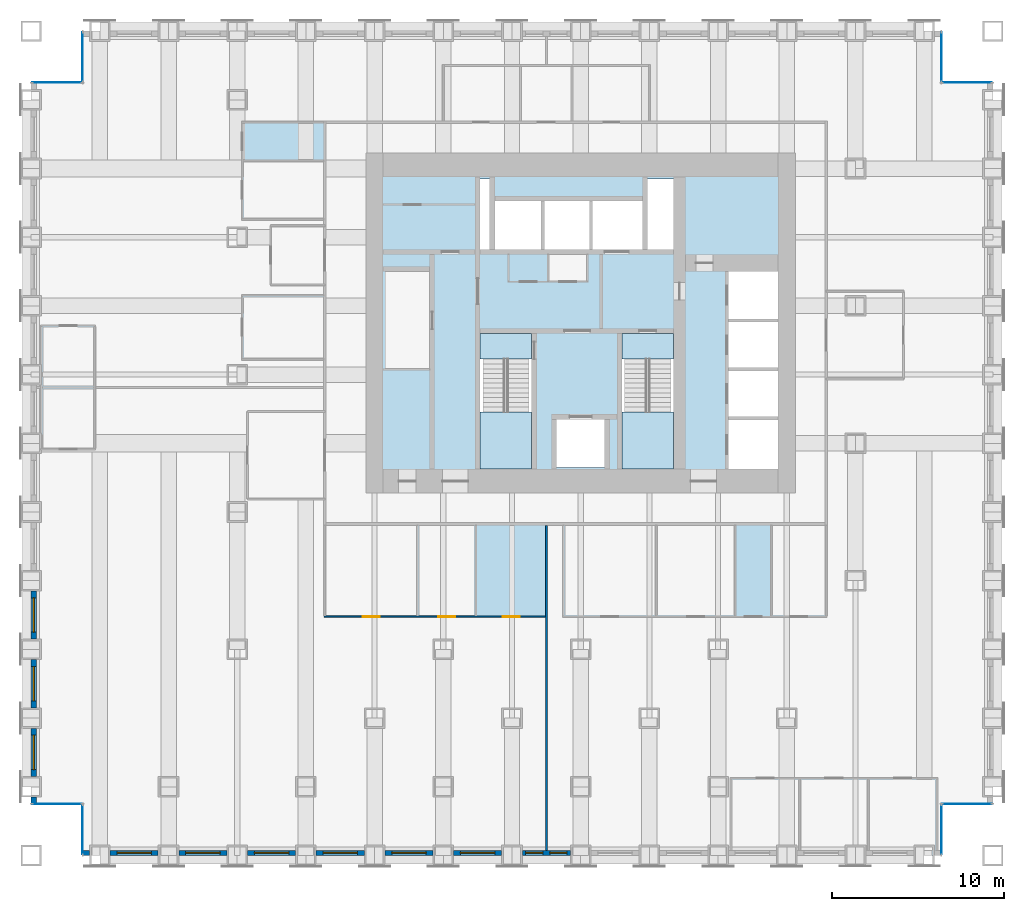
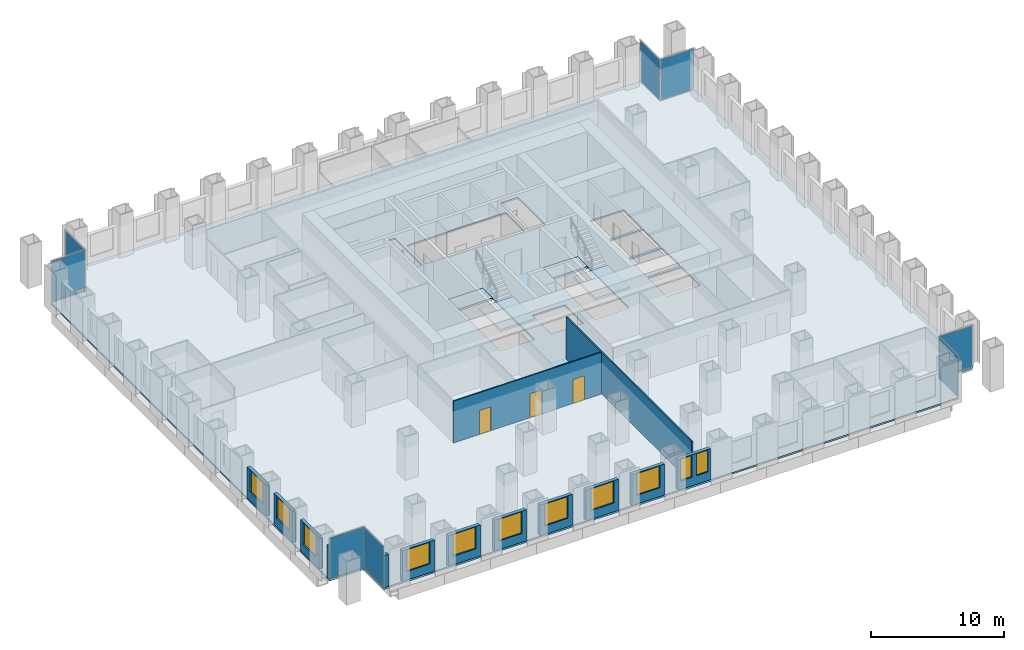
# One storey, part 8 of 15: 14 walls, 11 windows, 8 plates, 5 slabs, 3 doors, 14 openings, 10 elements without a shape of their own.
"""IFC4 building model written with IfcOpenShell, lengths in metres."""

from ifc_helpers import new_model, si_unit, direction, frame, frame_2d, origin, origin_2d, place, context, subcontext, project, spatial, polyline, rectangle, outline, extrude, material, layer, layer_set, type_object, element, fill, aggregate, save


model = new_model("IFC4")

# Units and contexts
model_context = context("Model", 3, precision=1e-05, world=origin(), true_north=direction((0.0, 1.0)))
body_context = subcontext(model_context, "Body", "Model", "MODEL_VIEW")
ifc_project = project(units=[si_unit("LENGTHUNIT", "METRE"), si_unit("AREAUNIT", "SQUARE_METRE"), si_unit("VOLUMEUNIT", "CUBIC_METRE"), si_unit("PLANEANGLEUNIT", "RADIAN"), si_unit("MASSUNIT", "GRAM", prefix="KILO")], contexts=[model_context])

# Site, building, storey
site_placement = place(None, origin())
site = spatial("IfcSite", under=ifc_project, at=site_placement, CompositionType="ELEMENT")
building_placement = place(site_placement, origin())
building = spatial("IfcBuilding", under=site, at=building_placement, Name="Rimbunsela Tower", CompositionType="ELEMENT")
storey_placement = place(building_placement, frame((0.0, 0.0, 35.0)))
storey = spatial("IfcBuildingStorey", under=building, at=storey_placement, Name="L08", CompositionType="ELEMENT", Elevation=35.0)

# Slab
ifc_material_1 = material(Name="Concrete fc' 35 MPa", Category="concrete")
ifc_layer_1 = layer(ifc_material_1, 0.14990234375)
ifc_layer_set_1 = layer_set([ifc_layer_1], Name="Floor slab 150")
slab_type_1 = type_object("IfcSlabType", Name="Floor slab 150", PredefinedType="FLOOR", material=ifc_layer_set_1)
slab_1_placement = place(storey_placement, frame((0.0, 0.0, -0.14990234375)))
element("IfcSlab", 1, at=slab_1_placement, inside=storey, type_object=slab_type_1, Name="Floor slab L08", PredefinedType="FLOOR", context=body_context, shape_type="SweptSolid", body=[
    extrude(outline(polyline([(1.0, -4.0), (51.0, -4.0), (51.0, -1.0), (54.0, -1.0), (54.0, 41.0), (51.0, 41.0), (51.0, 44.0), (1.0, 44.0), (1.0, 41.0), (-2.0, 41.0), (-2.0, -1.0), (1.0, -1.0), (1.0, -4.0)]), holes=[polyline([(27.14990234375, 18.60009765625), (27.14990234375, 26.39990234375), (24.14990234375, 26.39990234375), (24.14990234375, 18.60009765625), (27.14990234375, 18.60009765625)]), polyline([(24.699951171875, 31.300048828125), (24.699951171875, 35.39990234375), (24.14990234375, 35.39990234375), (24.14990234375, 31.300048828125), (24.699951171875, 31.300048828125)]), polyline([(25.0, 34.10009765625), (25.0, 31.300048828125), (33.60009765625, 31.300048828125), (33.60009765625, 34.10009765625), (25.0, 34.10009765625)]), polyline([(31.39990234375, 21.39990234375), (28.60009765625, 21.39990234375), (28.60009765625, 18.60009765625), (31.39990234375, 18.60009765625), (31.39990234375, 21.39990234375)]), polyline([(35.39990234375, 18.60009765625), (35.39990234375, 26.39990234375), (32.39990234375, 26.39990234375), (32.39990234375, 18.60009765625), (35.39990234375, 18.60009765625)]), polyline([(35.39990234375, 31.300048828125), (35.39990234375, 35.39990234375), (33.89990234375, 35.39990234375), (33.89990234375, 31.300048828125), (35.39990234375, 31.300048828125)]), polyline([(41.5, 21.35009765625), (38.60009765625, 21.35009765625), (38.60009765625, 18.5), (41.5, 18.5), (41.5, 21.35009765625)]), polyline([(41.5, 21.550048828125), (41.5, 24.199951171875), (38.60009765625, 24.199951171875), (38.60009765625, 21.550048828125), (41.5, 21.550048828125)]), polyline([(41.5, 27.050048828125), (38.60009765625, 27.050048828125), (38.60009765625, 24.39990234375), (41.5, 24.39990234375), (41.5, 27.050048828125)]), polyline([(41.5, 27.25), (41.5, 30.0), (38.60009765625, 30.0), (38.60009765625, 27.25), (41.5, 27.25)])]), origin(), (0.0, 0.0, 1.0), 0.14990234375),
])

# Curtain wall, plate
ifc_material_2 = material(Name="Aluminium curtain wall", Category="aluminium")
curtain_wall_type = type_object("IfcCurtainWallType", Name="Corner glazing", PredefinedType="USERDEFINED", material=ifc_material_2)
curtain_wall_1_placement = place(storey_placement, origin())
curtain_wall_1 = element("IfcCurtainWall", 2, at=curtain_wall_1_placement, inside=storey, type_object=curtain_wall_type, Name="Corner glazing L08", ObjectType="CORNER GLAZING", PredefinedType="USERDEFINED")
ifc_material_3 = material(Name="Clear double glazing", Category="glass")
ifc_layer_2 = layer(ifc_material_3, 0.028076171875)
ifc_layer_set_2 = layer_set([ifc_layer_2], Name="Glazed panel clear")
plate_type = type_object("IfcPlateType", Name="Glazed panel clear", PredefinedType="CURTAIN_PANEL", material=ifc_layer_set_2)
plate_1_placement = place(storey_placement, frame((51.0, -2.5, 0.06005859375), z_axis=(0.0, 0.0, 1.0), x_axis=(0.0, 1.0, 0.0)))
plate_1 = element("IfcPlate", 3, at=plate_1_placement, type_object=plate_type, Name="CW5 panel 1.1", PredefinedType="CURTAIN_PANEL", context=body_context, shape_type="SweptSolid", body=[
    extrude(rectangle(XDim=2.8798828125, YDim=0.028076171875, at=origin_2d()), origin(), (0.0, 0.0, 1.0), 3.72998046875),
])
aggregate(curtain_wall_1, [plate_1])

curtain_wall_2_placement = place(storey_placement, origin())
curtain_wall_2 = element("IfcCurtainWall", 4, at=curtain_wall_2_placement, inside=storey, type_object=curtain_wall_type, Name="Corner glazing L08", ObjectType="CORNER GLAZING", PredefinedType="USERDEFINED")
plate_2_placement = place(storey_placement, frame((52.5, -1.0, 0.06005859375), z_axis=(0.0, 0.0, 1.0), x_axis=(1.0, 0.0, 0.0)))
plate_2 = element("IfcPlate", 5, at=plate_2_placement, type_object=plate_type, Name="CW5 panel 1.1", PredefinedType="CURTAIN_PANEL", context=body_context, shape_type="SweptSolid", body=[
    extrude(rectangle(XDim=2.8798828125, YDim=0.028076171875, at=origin_2d()), origin(), (0.0, 0.0, 1.0), 3.72998046875),
])
aggregate(curtain_wall_2, [plate_2])

curtain_wall_3_placement = place(storey_placement, origin())
curtain_wall_3 = element("IfcCurtainWall", 6, at=curtain_wall_3_placement, inside=storey, type_object=curtain_wall_type, Name="Corner glazing L08", ObjectType="CORNER GLAZING", PredefinedType="USERDEFINED")
plate_3_placement = place(storey_placement, frame((52.5, 41.0, 0.06005859375), z_axis=(0.0, 0.0, 1.0), x_axis=(-1.0, 0.0, 0.0)))
plate_3 = element("IfcPlate", 7, at=plate_3_placement, type_object=plate_type, Name="CW5 panel 1.1", PredefinedType="CURTAIN_PANEL", context=body_context, shape_type="SweptSolid", body=[
    extrude(rectangle(XDim=2.8798828125, YDim=0.028076171875, at=origin_2d()), origin(), (0.0, 0.0, 1.0), 3.72998046875),
])
aggregate(curtain_wall_3, [plate_3])

curtain_wall_4_placement = place(storey_placement, origin())
curtain_wall_4 = element("IfcCurtainWall", 8, at=curtain_wall_4_placement, inside=storey, type_object=curtain_wall_type, Name="Corner glazing L08", ObjectType="CORNER GLAZING", PredefinedType="USERDEFINED")
plate_4_placement = place(storey_placement, frame((51.0, 42.5, 0.06005859375), z_axis=(0.0, 0.0, 1.0), x_axis=(0.0, 1.0, 0.0)))
plate_4 = element("IfcPlate", 9, at=plate_4_placement, type_object=plate_type, Name="CW5 panel 1.1", PredefinedType="CURTAIN_PANEL", context=body_context, shape_type="SweptSolid", body=[
    extrude(rectangle(XDim=2.8798828125, YDim=0.028076171875, at=origin_2d()), origin(), (0.0, 0.0, 1.0), 3.72998046875),
])
aggregate(curtain_wall_4, [plate_4])

curtain_wall_5_placement = place(storey_placement, origin())
curtain_wall_5 = element("IfcCurtainWall", 10, at=curtain_wall_5_placement, inside=storey, type_object=curtain_wall_type, Name="Corner glazing L08", ObjectType="CORNER GLAZING", PredefinedType="USERDEFINED")
plate_5_placement = place(storey_placement, frame((1.0, 42.5, 0.06005859375), z_axis=(0.0, 0.0, 1.0), x_axis=(0.0, -1.0, 0.0)))
plate_5 = element("IfcPlate", 11, at=plate_5_placement, type_object=plate_type, Name="CW5 panel 1.1", PredefinedType="CURTAIN_PANEL", context=body_context, shape_type="SweptSolid", body=[
    extrude(rectangle(XDim=2.8798828125, YDim=0.028076171875, at=origin_2d()), origin(), (0.0, 0.0, 1.0), 3.72998046875),
])
aggregate(curtain_wall_5, [plate_5])

curtain_wall_6_placement = place(storey_placement, origin())
curtain_wall_6 = element("IfcCurtainWall", 12, at=curtain_wall_6_placement, inside=storey, type_object=curtain_wall_type, Name="Corner glazing L08", ObjectType="CORNER GLAZING", PredefinedType="USERDEFINED")
plate_6_placement = place(storey_placement, frame((-0.5, 41.0, 0.06005859375), z_axis=(0.0, 0.0, 1.0), x_axis=(-1.0, 0.0, 0.0)))
plate_6 = element("IfcPlate", 13, at=plate_6_placement, type_object=plate_type, Name="CW5 panel 1.1", PredefinedType="CURTAIN_PANEL", context=body_context, shape_type="SweptSolid", body=[
    extrude(rectangle(XDim=2.8798828125, YDim=0.028076171875, at=origin_2d()), origin(), (0.0, 0.0, 1.0), 3.72998046875),
])
aggregate(curtain_wall_6, [plate_6])

curtain_wall_7_placement = place(storey_placement, origin())
curtain_wall_7 = element("IfcCurtainWall", 14, at=curtain_wall_7_placement, inside=storey, type_object=curtain_wall_type, Name="Corner glazing L08", ObjectType="CORNER GLAZING", PredefinedType="USERDEFINED")
plate_7_placement = place(storey_placement, frame((-0.5, -1.0, 0.06005859375), z_axis=(0.0, 0.0, 1.0), x_axis=(1.0, 0.0, 0.0)))
plate_7 = element("IfcPlate", 15, at=plate_7_placement, type_object=plate_type, Name="CW5 panel 1.1", PredefinedType="CURTAIN_PANEL", context=body_context, shape_type="SweptSolid", body=[
    extrude(rectangle(XDim=2.8798828125, YDim=0.028076171875, at=origin_2d()), origin(), (0.0, 0.0, 1.0), 3.72998046875),
])
aggregate(curtain_wall_7, [plate_7])

curtain_wall_8_placement = place(storey_placement, origin())
curtain_wall_8 = element("IfcCurtainWall", 16, at=curtain_wall_8_placement, inside=storey, type_object=curtain_wall_type, Name="Corner glazing L08", ObjectType="CORNER GLAZING", PredefinedType="USERDEFINED")
plate_8_placement = place(storey_placement, frame((1.0, -2.5, 0.06005859375), z_axis=(0.0, 0.0, 1.0), x_axis=(0.0, -1.0, 0.0)))
plate_8 = element("IfcPlate", 17, at=plate_8_placement, type_object=plate_type, Name="CW5 panel 1.1", PredefinedType="CURTAIN_PANEL", context=body_context, shape_type="SweptSolid", body=[
    extrude(rectangle(XDim=2.8798828125, YDim=0.028076171875, at=origin_2d()), origin(), (0.0, 0.0, 1.0), 3.72998046875),
])
aggregate(curtain_wall_8, [plate_8])

# Stair, slabs
ifc_material_4 = material(Name="Concrete fc' 35 MPa", Category="concrete")
stair_type = type_object("IfcStairType", Name="Exit stair 24 risers", PredefinedType="HALF_TURN_STAIR", material=ifc_material_4)
stair_1_placement = place(storey_placement, origin())
stair_1 = element("IfcStair", 18, at=stair_1_placement, inside=storey, type_object=stair_type, Name="Exit stair A L08", PredefinedType="HALF_TURN_STAIR")
ifc_material_5 = material(Name="Concrete fc' 35 MPa", Category="concrete")
ifc_layer_3 = layer(ifc_material_5, 0.199951171875)
ifc_layer_set_3 = layer_set([ifc_layer_3], Name="Stair landing 200")
slab_type_2 = type_object("IfcSlabType", Name="Stair landing 200", PredefinedType="LANDING", material=ifc_layer_set_3)
slab_2_placement = place(storey_placement, frame((0.0, 0.0, -0.199951171875)))
slab_2 = element("IfcSlab", 19, at=slab_2_placement, type_object=slab_type_2, Name="ST-A landing 1", PredefinedType="LANDING", context=body_context, shape_type="SweptSolid", body=[
    extrude(outline(polyline([(24.14990234375, 24.89990234375), (27.14990234375, 24.89990234375), (27.14990234375, 26.39990234375), (24.14990234375, 26.39990234375), (24.14990234375, 24.89990234375)])), origin(), (0.0, 0.0, 1.0), 0.199951171875),
])
slab_3_placement = place(storey_placement, frame((0.0, 0.0, 1.800048828125)))
slab_3 = element("IfcSlab", 20, at=slab_3_placement, type_object=slab_type_2, Name="ST-A landing 2", PredefinedType="LANDING", context=body_context, shape_type="SweptSolid", body=[
    extrude(outline(polyline([(24.14990234375, 18.5), (27.14990234375, 18.5), (27.14990234375, 21.820068359375), (24.14990234375, 21.820068359375), (24.14990234375, 18.5)])), origin(), (0.0, 0.0, 1.0), 0.199951171875),
])
aggregate(stair_1, [slab_2, slab_3])

stair_2_placement = place(storey_placement, origin())
stair_2 = element("IfcStair", 21, at=stair_2_placement, inside=storey, type_object=stair_type, Name="Exit stair B L08", PredefinedType="HALF_TURN_STAIR")
slab_4_placement = place(storey_placement, frame((0.0, 0.0, -0.199951171875)))
slab_4 = element("IfcSlab", 22, at=slab_4_placement, type_object=slab_type_2, Name="ST-B landing 1", PredefinedType="LANDING", context=body_context, shape_type="SweptSolid", body=[
    extrude(outline(polyline([(32.39990234375, 24.89990234375), (35.39990234375, 24.89990234375), (35.39990234375, 26.39990234375), (32.39990234375, 26.39990234375), (32.39990234375, 24.89990234375)])), origin(), (0.0, 0.0, 1.0), 0.199951171875),
])
slab_5_placement = place(storey_placement, frame((0.0, 0.0, 1.800048828125)))
slab_5 = element("IfcSlab", 23, at=slab_5_placement, type_object=slab_type_2, Name="ST-B landing 2", PredefinedType="LANDING", context=body_context, shape_type="SweptSolid", body=[
    extrude(outline(polyline([(32.39990234375, 18.5), (35.39990234375, 18.5), (35.39990234375, 21.820068359375), (32.39990234375, 21.820068359375), (32.39990234375, 18.5)])), origin(), (0.0, 0.0, 1.0), 0.199951171875),
])
aggregate(stair_2, [slab_4, slab_5])

# Wall, openings, doors
ifc_material_6 = material(Name="Gypsum board on steel studs", Category="steel")
ifc_layer_4 = layer(ifc_material_6, 0.10009765625)
ifc_layer_set_4 = layer_set([ifc_layer_4], Name="Office partition 100")
wall_type_1 = type_object("IfcWallType", Name="Office partition 100", PredefinedType="PARTITIONING", material=ifc_layer_set_4)
wall_1_placement = place(storey_placement, frame((15.050048828125, 9.89990234375, 0.0), z_axis=(0.0, 0.0, 1.0), x_axis=(1.0, 0.0, 0.0)))
wall_1 = element("IfcWall", 24, at=wall_1_placement, inside=storey, type_object=wall_type_1, Name="Office partition", PredefinedType="PARTITIONING", context=body_context, shape_type="SweptSolid", body=[
    extrude(rectangle(XDim=12.888916015625, YDim=0.10009765625, at=frame_2d((6.4443359375, 0.0))), origin(), (0.0, 0.0, 1.0), 3.85009765625),
])
opening_1_placement = place(wall_1_placement, frame((2.25, 0.0, 0.0)))
opening_1 = element("IfcOpeningElement", 25, at=opening_1_placement, cuts=wall_1, Name="Opening D17", PredefinedType="OPENING", context=body_context, shape_type="SweptSolid", body=[
    extrude(rectangle(XDim=1.0, YDim=2.199951171875, at=frame_2d((0.5, 1.10009765625))), frame((0.0, 0.06005859375, 0.0), z_axis=(0.0, -1.0, 0.0), x_axis=(1.0, 0.0, 0.0)), (0.0, 0.0, 1.0), 0.1201171875),
])
opening_2_placement = place(wall_1_placement, frame((6.64990234375, 0.0, 0.0)))
opening_2 = element("IfcOpeningElement", 26, at=opening_2_placement, cuts=wall_1, Name="Opening D16", PredefinedType="OPENING", context=body_context, shape_type="SweptSolid", body=[
    extrude(rectangle(XDim=1.0, YDim=2.199951171875, at=frame_2d((0.5, 1.10009765625))), frame((0.0, 0.06005859375, 0.0), z_axis=(0.0, -1.0, 0.0), x_axis=(1.0, 0.0, 0.0)), (0.0, 0.0, 1.0), 0.1201171875),
])
opening_3_placement = place(wall_1_placement, frame((10.3994140625, 0.0, 0.0)))
opening_3 = element("IfcOpeningElement", 27, at=opening_3_placement, cuts=wall_1, Name="Opening D16", PredefinedType="OPENING", context=body_context, shape_type="SweptSolid", body=[
    extrude(rectangle(XDim=1.0, YDim=2.199951171875, at=frame_2d((0.5, 1.10009765625))), frame((0.0, 0.06005859375, 0.0), z_axis=(0.0, -1.0, 0.0), x_axis=(1.0, 0.0, 0.0)), (0.0, 0.0, 1.0), 0.1201171875),
])
ifc_material_7 = material(Name="Glazed aluminium door", Category="aluminium")
door_type_1 = type_object("IfcDoorType", Name="Meeting room door 1000 glazed", OperationType="SINGLE_SWING_RIGHT", PredefinedType="DOOR", material=ifc_material_7)
door_1_placement = place(opening_1_placement, origin())
door_1 = element("IfcDoor", 28, at=door_1_placement, inside=storey, type_object=door_type_1, Name="Meeting room door", OperationType="SINGLE_SWING_RIGHT", OverallHeight=2.199951171875, OverallWidth=1.0, PredefinedType="DOOR", context=body_context, shape_type="SweptSolid", body=[
    extrude(rectangle(XDim=1.0, YDim=2.199951171875, at=frame_2d((0.5, 1.10009765625))), frame((0.0, 0.02490234375, 0.0), z_axis=(0.0, -1.0, 0.0), x_axis=(1.0, 0.0, 0.0)), (0.0, 0.0, 1.0), 0.050048828125),
])
fill(opening_1, door_1)
ifc_material_8 = material(Name="Timber door", Category="wood")
door_type_2 = type_object("IfcDoorType", Name="Office door 1000", OperationType="SINGLE_SWING_LEFT", PredefinedType="DOOR", material=ifc_material_8)
door_2_placement = place(opening_2_placement, origin())
door_2 = element("IfcDoor", 29, at=door_2_placement, inside=storey, type_object=door_type_2, Name="Office door", OperationType="SINGLE_SWING_LEFT", OverallHeight=2.199951171875, OverallWidth=1.0, PredefinedType="DOOR", context=body_context, shape_type="SweptSolid", body=[
    extrude(rectangle(XDim=1.0, YDim=2.199951171875, at=frame_2d((0.5, 1.10009765625))), frame((0.0, 0.02490234375, 0.0), z_axis=(0.0, -1.0, 0.0), x_axis=(1.0, 0.0, 0.0)), (0.0, 0.0, 1.0), 0.050048828125),
])
fill(opening_2, door_2)
door_3_placement = place(opening_3_placement, origin())
door_3 = element("IfcDoor", 30, at=door_3_placement, inside=storey, type_object=door_type_2, Name="Office door", OperationType="SINGLE_SWING_LEFT", OverallHeight=2.199951171875, OverallWidth=1.0, PredefinedType="DOOR", context=body_context, shape_type="SweptSolid", body=[
    extrude(rectangle(XDim=1.0, YDim=2.199951171875, at=frame_2d((0.5, 1.10009765625))), frame((0.0, 0.02490234375, 0.0), z_axis=(0.0, -1.0, 0.0), x_axis=(1.0, 0.0, 0.0)), (0.0, 0.0, 1.0), 0.050048828125),
])
fill(opening_3, door_3)

# Wall
ifc_material_9 = material(Name="Precast concrete fc' 35 MPa", Category="concrete")
ifc_layer_5 = layer(ifc_material_9, 0.300048828125)
ifc_layer_set_5 = layer_set([ifc_layer_5], Name="Precast concrete fc' 35 MPa")
wall_type_2 = type_object("IfcWallType", Name="Precast facade panel 300", PredefinedType="ELEMENTEDWALL", material=ifc_layer_set_5)
wall_2_placement = place(storey_placement, frame((1.030029296875, -3.85009765625, 0.0), z_axis=(0.0, 0.0, 1.0), x_axis=(1.0, 0.0, 0.0)))
element("IfcWall", 31, at=wall_2_placement, inside=storey, type_object=wall_type_2, Name="Facade panel S L08", PredefinedType="ELEMENTEDWALL", context=body_context, shape_type="SweptSolid", body=[
    extrude(rectangle(XDim=0.369873046875, YDim=0.300048828125, at=frame_2d((0.18505859375, 0.0))), origin(), (0.0, 0.0, 1.0), 2.949951171875),
])

# Wall, opening, window
wall_3_placement = place(storey_placement, frame((2.60009765625, -3.85009765625, 0.0), z_axis=(0.0, 0.0, 1.0), x_axis=(1.0, 0.0, 0.0)))
wall_3 = element("IfcWall", 32, at=wall_3_placement, inside=storey, type_object=wall_type_2, Name="Facade panel S L08", PredefinedType="ELEMENTEDWALL", context=body_context, shape_type="SweptSolid", body=[
    extrude(rectangle(XDim=2.7998046875, YDim=0.300048828125, at=frame_2d((1.39990234375, 0.0))), origin(), (0.0, 0.0, 1.0), 2.85009765625),
])
opening_4_placement = place(wall_3_placement, frame((0.39990234375, 0.0, 0.800048828125)))
opening_4 = element("IfcOpeningElement", 33, at=opening_4_placement, cuts=wall_3, Name="Opening W1", PredefinedType="OPENING", context=body_context, shape_type="SweptSolid", body=[
    extrude(rectangle(XDim=2.0, YDim=2.0, at=frame_2d((1.0, 1.0))), frame((0.0, 0.159912109375, 0.0), z_axis=(0.0, -1.0, 0.0), x_axis=(1.0, 0.0, 0.0)), (0.0, 0.0, 1.0), 0.320068359375),
])
ifc_material_10 = material(Name="Clear glass in aluminium frame", Category="aluminium")
window_type_1 = type_object("IfcWindowType", Name="Window W1 2000x2000", PartitioningType="DOUBLE_PANEL_VERTICAL", PredefinedType="WINDOW", material=ifc_material_10)
window_1_placement = place(opening_4_placement, origin())
window_1 = element("IfcWindow", 34, at=window_1_placement, inside=storey, type_object=window_type_1, Name="Window L08", OverallHeight=2.0, OverallWidth=2.0, PartitioningType="SINGLE_PANEL", PredefinedType="WINDOW", context=body_context, shape_type="SweptSolid", body=[
    extrude(rectangle(XDim=2.0, YDim=2.0, at=frame_2d((1.0, 1.0))), frame((0.0, 0.030029296875, 0.0), z_axis=(0.0, -1.0, 0.0), x_axis=(1.0, 0.0, 0.0)), (0.0, 0.0, 1.0), 0.06005859375),
])
fill(opening_4, window_1)

wall_4_placement = place(storey_placement, frame((6.60009765625, -3.85009765625, 0.0), z_axis=(0.0, 0.0, 1.0), x_axis=(1.0, 0.0, 0.0)))
wall_4 = element("IfcWall", 35, at=wall_4_placement, inside=storey, type_object=wall_type_2, Name="Facade panel S L08", PredefinedType="ELEMENTEDWALL", context=body_context, shape_type="SweptSolid", body=[
    extrude(rectangle(XDim=2.7998046875, YDim=0.300048828125, at=frame_2d((1.39990234375, 0.0))), origin(), (0.0, 0.0, 1.0), 2.85009765625),
])
opening_5_placement = place(wall_4_placement, frame((0.39990234375, 0.0, 0.800048828125)))
opening_5 = element("IfcOpeningElement", 36, at=opening_5_placement, cuts=wall_4, Name="Opening W1", PredefinedType="OPENING", context=body_context, shape_type="SweptSolid", body=[
    extrude(rectangle(XDim=2.0, YDim=2.0, at=frame_2d((1.0, 1.0))), frame((0.0, 0.159912109375, 0.0), z_axis=(0.0, -1.0, 0.0), x_axis=(1.0, 0.0, 0.0)), (0.0, 0.0, 1.0), 0.320068359375),
])
window_2_placement = place(opening_5_placement, origin())
window_2 = element("IfcWindow", 37, at=window_2_placement, inside=storey, type_object=window_type_1, Name="Window L08", OverallHeight=2.0, OverallWidth=2.0, PartitioningType="SINGLE_PANEL", PredefinedType="WINDOW", context=body_context, shape_type="SweptSolid", body=[
    extrude(rectangle(XDim=2.0, YDim=2.0, at=frame_2d((1.0, 1.0))), frame((0.0, 0.030029296875, 0.0), z_axis=(0.0, -1.0, 0.0), x_axis=(1.0, 0.0, 0.0)), (0.0, 0.0, 1.0), 0.06005859375),
])
fill(opening_5, window_2)

wall_5_placement = place(storey_placement, frame((10.60009765625, -3.85009765625, 0.0), z_axis=(0.0, 0.0, 1.0), x_axis=(1.0, 0.0, 0.0)))
wall_5 = element("IfcWall", 38, at=wall_5_placement, inside=storey, type_object=wall_type_2, Name="Facade panel S L08", PredefinedType="ELEMENTEDWALL", context=body_context, shape_type="SweptSolid", body=[
    extrude(rectangle(XDim=2.7998046875, YDim=0.300048828125, at=frame_2d((1.39990234375, 0.0))), origin(), (0.0, 0.0, 1.0), 2.85009765625),
])
opening_6_placement = place(wall_5_placement, frame((0.39990234375, 0.0, 0.800048828125)))
opening_6 = element("IfcOpeningElement", 39, at=opening_6_placement, cuts=wall_5, Name="Opening W1", PredefinedType="OPENING", context=body_context, shape_type="SweptSolid", body=[
    extrude(rectangle(XDim=2.0, YDim=2.0, at=frame_2d((1.0, 1.0))), frame((0.0, 0.159912109375, 0.0), z_axis=(0.0, -1.0, 0.0), x_axis=(1.0, 0.0, 0.0)), (0.0, 0.0, 1.0), 0.320068359375),
])
window_3_placement = place(opening_6_placement, origin())
window_3 = element("IfcWindow", 40, at=window_3_placement, inside=storey, type_object=window_type_1, Name="Window L08", OverallHeight=2.0, OverallWidth=2.0, PartitioningType="SINGLE_PANEL", PredefinedType="WINDOW", context=body_context, shape_type="SweptSolid", body=[
    extrude(rectangle(XDim=2.0, YDim=2.0, at=frame_2d((1.0, 1.0))), frame((0.0, 0.030029296875, 0.0), z_axis=(0.0, -1.0, 0.0), x_axis=(1.0, 0.0, 0.0)), (0.0, 0.0, 1.0), 0.06005859375),
])
fill(opening_6, window_3)

wall_6_placement = place(storey_placement, frame((14.60009765625, -3.85009765625, 0.0), z_axis=(0.0, 0.0, 1.0), x_axis=(1.0, 0.0, 0.0)))
wall_6 = element("IfcWall", 41, at=wall_6_placement, inside=storey, type_object=wall_type_2, Name="Facade panel S L08", PredefinedType="ELEMENTEDWALL", context=body_context, shape_type="SweptSolid", body=[
    extrude(rectangle(XDim=2.7998046875, YDim=0.300048828125, at=frame_2d((1.39990234375, 0.0))), origin(), (0.0, 0.0, 1.0), 2.85009765625),
])
opening_7_placement = place(wall_6_placement, frame((0.39990234375, 0.0, 0.800048828125)))
opening_7 = element("IfcOpeningElement", 42, at=opening_7_placement, cuts=wall_6, Name="Opening W1", PredefinedType="OPENING", context=body_context, shape_type="SweptSolid", body=[
    extrude(rectangle(XDim=2.0, YDim=2.0, at=frame_2d((1.0, 1.0))), frame((0.0, 0.159912109375, 0.0), z_axis=(0.0, -1.0, 0.0), x_axis=(1.0, 0.0, 0.0)), (0.0, 0.0, 1.0), 0.320068359375),
])
window_4_placement = place(opening_7_placement, origin())
window_4 = element("IfcWindow", 43, at=window_4_placement, inside=storey, type_object=window_type_1, Name="Window L08", OverallHeight=2.0, OverallWidth=2.0, PartitioningType="SINGLE_PANEL", PredefinedType="WINDOW", context=body_context, shape_type="SweptSolid", body=[
    extrude(rectangle(XDim=2.0, YDim=2.0, at=frame_2d((1.0, 1.0))), frame((0.0, 0.030029296875, 0.0), z_axis=(0.0, -1.0, 0.0), x_axis=(1.0, 0.0, 0.0)), (0.0, 0.0, 1.0), 0.06005859375),
])
fill(opening_7, window_4)

wall_7_placement = place(storey_placement, frame((18.60009765625, -3.85009765625, 0.0), z_axis=(0.0, 0.0, 1.0), x_axis=(1.0, 0.0, 0.0)))
wall_7 = element("IfcWall", 44, at=wall_7_placement, inside=storey, type_object=wall_type_2, Name="Facade panel S L08", PredefinedType="ELEMENTEDWALL", context=body_context, shape_type="SweptSolid", body=[
    extrude(rectangle(XDim=2.7998046875, YDim=0.300048828125, at=frame_2d((1.39990234375, 0.0))), origin(), (0.0, 0.0, 1.0), 2.85009765625),
])
opening_8_placement = place(wall_7_placement, frame((0.39990234375, 0.0, 0.800048828125)))
opening_8 = element("IfcOpeningElement", 45, at=opening_8_placement, cuts=wall_7, Name="Opening W1", PredefinedType="OPENING", context=body_context, shape_type="SweptSolid", body=[
    extrude(rectangle(XDim=2.0, YDim=2.0, at=frame_2d((1.0, 1.0))), frame((0.0, 0.159912109375, 0.0), z_axis=(0.0, -1.0, 0.0), x_axis=(1.0, 0.0, 0.0)), (0.0, 0.0, 1.0), 0.320068359375),
])
window_5_placement = place(opening_8_placement, origin())
window_5 = element("IfcWindow", 46, at=window_5_placement, inside=storey, type_object=window_type_1, Name="Window L08", OverallHeight=2.0, OverallWidth=2.0, PartitioningType="SINGLE_PANEL", PredefinedType="WINDOW", context=body_context, shape_type="SweptSolid", body=[
    extrude(rectangle(XDim=2.0, YDim=2.0, at=frame_2d((1.0, 1.0))), frame((0.0, 0.030029296875, 0.0), z_axis=(0.0, -1.0, 0.0), x_axis=(1.0, 0.0, 0.0)), (0.0, 0.0, 1.0), 0.06005859375),
])
fill(opening_8, window_5)

wall_8_placement = place(storey_placement, frame((22.60009765625, -3.85009765625, 0.0), z_axis=(0.0, 0.0, 1.0), x_axis=(1.0, 0.0, 0.0)))
wall_8 = element("IfcWall", 47, at=wall_8_placement, inside=storey, type_object=wall_type_2, Name="Facade panel S L08", PredefinedType="ELEMENTEDWALL", context=body_context, shape_type="SweptSolid", body=[
    extrude(rectangle(XDim=2.7998046875, YDim=0.300048828125, at=frame_2d((1.39990234375, 0.0))), origin(), (0.0, 0.0, 1.0), 2.85009765625),
])
opening_9_placement = place(wall_8_placement, frame((0.39990234375, 0.0, 0.800048828125)))
opening_9 = element("IfcOpeningElement", 48, at=opening_9_placement, cuts=wall_8, Name="Opening W1", PredefinedType="OPENING", context=body_context, shape_type="SweptSolid", body=[
    extrude(rectangle(XDim=2.0, YDim=2.0, at=frame_2d((1.0, 1.0))), frame((0.0, 0.159912109375, 0.0), z_axis=(0.0, -1.0, 0.0), x_axis=(1.0, 0.0, 0.0)), (0.0, 0.0, 1.0), 0.320068359375),
])
window_6_placement = place(opening_9_placement, origin())
window_6 = element("IfcWindow", 49, at=window_6_placement, inside=storey, type_object=window_type_1, Name="Window L08", OverallHeight=2.0, OverallWidth=2.0, PartitioningType="SINGLE_PANEL", PredefinedType="WINDOW", context=body_context, shape_type="SweptSolid", body=[
    extrude(rectangle(XDim=2.0, YDim=2.0, at=frame_2d((1.0, 1.0))), frame((0.0, 0.030029296875, 0.0), z_axis=(0.0, -1.0, 0.0), x_axis=(1.0, 0.0, 0.0)), (0.0, 0.0, 1.0), 0.06005859375),
])
fill(opening_9, window_6)

# Wall, openings, windows
wall_9_placement = place(storey_placement, frame((26.60009765625, -3.85009765625, 0.0), z_axis=(0.0, 0.0, 1.0), x_axis=(1.0, 0.0, 0.0)))
wall_9 = element("IfcWall", 50, at=wall_9_placement, inside=storey, type_object=wall_type_2, Name="Facade panel S L08", PredefinedType="ELEMENTEDWALL", context=body_context, shape_type="SweptSolid", body=[
    extrude(rectangle(XDim=2.7998046875, YDim=0.300048828125, at=frame_2d((1.39990234375, 0.0))), origin(), (0.0, 0.0, 1.0), 2.85009765625),
])
opening_10_placement = place(wall_9_placement, frame((0.199951171875, 0.0, 0.800048828125)))
opening_10 = element("IfcOpeningElement", 51, at=opening_10_placement, cuts=wall_9, Name="Opening W5", PredefinedType="OPENING", context=body_context, shape_type="SweptSolid", body=[
    extrude(rectangle(XDim=1.0, YDim=2.0, at=frame_2d((0.5, 1.0))), frame((0.0, 0.159912109375, 0.0), z_axis=(0.0, -1.0, 0.0), x_axis=(1.0, 0.0, 0.0)), (0.0, 0.0, 1.0), 0.320068359375),
])
opening_11_placement = place(wall_9_placement, frame((1.60009765625, 0.0, 0.800048828125)))
opening_11 = element("IfcOpeningElement", 52, at=opening_11_placement, cuts=wall_9, Name="Opening W5", PredefinedType="OPENING", context=body_context, shape_type="SweptSolid", body=[
    extrude(rectangle(XDim=1.0, YDim=2.0, at=frame_2d((0.5, 1.0))), frame((0.0, 0.159912109375, 0.0), z_axis=(0.0, -1.0, 0.0), x_axis=(1.0, 0.0, 0.0)), (0.0, 0.0, 1.0), 0.320068359375),
])
ifc_material_11 = material(Name="Clear glass in aluminium frame", Category="aluminium")
window_type_2 = type_object("IfcWindowType", Name="Window W5 1000x2000", PartitioningType="SINGLE_PANEL", PredefinedType="WINDOW", material=ifc_material_11)
window_7_placement = place(opening_10_placement, origin())
window_7 = element("IfcWindow", 53, at=window_7_placement, inside=storey, type_object=window_type_2, Name="Window L08", OverallHeight=2.0, OverallWidth=1.0, PartitioningType="SINGLE_PANEL", PredefinedType="WINDOW", context=body_context, shape_type="SweptSolid", body=[
    extrude(rectangle(XDim=1.0, YDim=2.0, at=frame_2d((0.5, 1.0))), frame((0.0, 0.030029296875, 0.0), z_axis=(0.0, -1.0, 0.0), x_axis=(1.0, 0.0, 0.0)), (0.0, 0.0, 1.0), 0.06005859375),
])
fill(opening_10, window_7)
window_8_placement = place(opening_11_placement, origin())
window_8 = element("IfcWindow", 54, at=window_8_placement, inside=storey, type_object=window_type_2, Name="Window L08", OverallHeight=2.0, OverallWidth=1.0, PartitioningType="SINGLE_PANEL", PredefinedType="WINDOW", context=body_context, shape_type="SweptSolid", body=[
    extrude(rectangle(XDim=1.0, YDim=2.0, at=frame_2d((0.5, 1.0))), frame((0.0, 0.030029296875, 0.0), z_axis=(0.0, -1.0, 0.0), x_axis=(1.0, 0.0, 0.0)), (0.0, 0.0, 1.0), 0.06005859375),
])
fill(opening_11, window_8)

# Wall
wall_10_placement = place(storey_placement, frame((-1.85009765625, -0.60009765625, 0.0), z_axis=(0.0, 0.0, 1.0), x_axis=(0.0, -1.0, 0.0)))
element("IfcWall", 55, at=wall_10_placement, inside=storey, type_object=wall_type_2, Name="Facade panel W L08", PredefinedType="ELEMENTEDWALL", context=body_context, shape_type="SweptSolid", body=[
    extrude(rectangle(XDim=0.369873046875, YDim=0.300048828125, at=frame_2d((0.18505859375, 0.0))), origin(), (0.0, 0.0, 1.0), 2.949951171875),
])

# Wall, opening, window
wall_11_placement = place(storey_placement, frame((-1.85009765625, 3.39990234375, 0.0), z_axis=(0.0, 0.0, 1.0), x_axis=(0.0, -1.0, 0.0)))
wall_11 = element("IfcWall", 56, at=wall_11_placement, inside=storey, type_object=wall_type_2, Name="Facade panel W L08", PredefinedType="ELEMENTEDWALL", context=body_context, shape_type="SweptSolid", body=[
    extrude(rectangle(XDim=2.7998046875, YDim=0.300048828125, at=frame_2d((1.39990234375, 0.0))), origin(), (0.0, 0.0, 1.0), 2.85009765625),
])
opening_12_placement = place(wall_11_placement, frame((0.39990234375, 0.0, 0.800048828125)))
opening_12 = element("IfcOpeningElement", 57, at=opening_12_placement, cuts=wall_11, Name="Opening W1", PredefinedType="OPENING", context=body_context, shape_type="SweptSolid", body=[
    extrude(rectangle(XDim=2.0, YDim=2.0, at=frame_2d((1.0, 1.0))), frame((0.0, 0.159912109375, 0.0), z_axis=(0.0, -1.0, 0.0), x_axis=(1.0, 0.0, 0.0)), (0.0, 0.0, 1.0), 0.320068359375),
])
window_9_placement = place(opening_12_placement, origin())
window_9 = element("IfcWindow", 58, at=window_9_placement, inside=storey, type_object=window_type_1, Name="Window L08", OverallHeight=2.0, OverallWidth=2.0, PartitioningType="SINGLE_PANEL", PredefinedType="WINDOW", context=body_context, shape_type="SweptSolid", body=[
    extrude(rectangle(XDim=2.0, YDim=2.0, at=frame_2d((1.0, 1.0))), frame((0.0, 0.030029296875, 0.0), z_axis=(0.0, -1.0, 0.0), x_axis=(1.0, 0.0, 0.0)), (0.0, 0.0, 1.0), 0.06005859375),
])
fill(opening_12, window_9)

wall_12_placement = place(storey_placement, frame((-1.85009765625, 7.39990234375, 0.0), z_axis=(0.0, 0.0, 1.0), x_axis=(0.0, -1.0, 0.0)))
wall_12 = element("IfcWall", 59, at=wall_12_placement, inside=storey, type_object=wall_type_2, Name="Facade panel W L08", PredefinedType="ELEMENTEDWALL", context=body_context, shape_type="SweptSolid", body=[
    extrude(rectangle(XDim=2.7998046875, YDim=0.300048828125, at=frame_2d((1.39990234375, 0.0))), origin(), (0.0, 0.0, 1.0), 2.85009765625),
])
opening_13_placement = place(wall_12_placement, frame((0.39990234375, 0.0, 0.800048828125)))
opening_13 = element("IfcOpeningElement", 60, at=opening_13_placement, cuts=wall_12, Name="Opening W1", PredefinedType="OPENING", context=body_context, shape_type="SweptSolid", body=[
    extrude(rectangle(XDim=2.0, YDim=2.0, at=frame_2d((1.0, 1.0))), frame((0.0, 0.159912109375, 0.0), z_axis=(0.0, -1.0, 0.0), x_axis=(1.0, 0.0, 0.0)), (0.0, 0.0, 1.0), 0.320068359375),
])
window_10_placement = place(opening_13_placement, origin())
window_10 = element("IfcWindow", 61, at=window_10_placement, inside=storey, type_object=window_type_1, Name="Window L08", OverallHeight=2.0, OverallWidth=2.0, PartitioningType="SINGLE_PANEL", PredefinedType="WINDOW", context=body_context, shape_type="SweptSolid", body=[
    extrude(rectangle(XDim=2.0, YDim=2.0, at=frame_2d((1.0, 1.0))), frame((0.0, 0.030029296875, 0.0), z_axis=(0.0, -1.0, 0.0), x_axis=(1.0, 0.0, 0.0)), (0.0, 0.0, 1.0), 0.06005859375),
])
fill(opening_13, window_10)

wall_13_placement = place(storey_placement, frame((-1.85009765625, 11.39990234375, 0.0), z_axis=(0.0, 0.0, 1.0), x_axis=(0.0, -1.0, 0.0)))
wall_13 = element("IfcWall", 62, at=wall_13_placement, inside=storey, type_object=wall_type_2, Name="Facade panel W L08", PredefinedType="ELEMENTEDWALL", context=body_context, shape_type="SweptSolid", body=[
    extrude(rectangle(XDim=2.7998046875, YDim=0.300048828125, at=frame_2d((1.39990234375, 0.0))), origin(), (0.0, 0.0, 1.0), 2.85009765625),
])
opening_14_placement = place(wall_13_placement, frame((0.39990234375, 0.0, 0.800048828125)))
opening_14 = element("IfcOpeningElement", 63, at=opening_14_placement, cuts=wall_13, Name="Opening W1", PredefinedType="OPENING", context=body_context, shape_type="SweptSolid", body=[
    extrude(rectangle(XDim=2.0, YDim=2.0, at=frame_2d((1.0, 1.0))), frame((0.0, 0.159912109375, 0.0), z_axis=(0.0, -1.0, 0.0), x_axis=(1.0, 0.0, 0.0)), (0.0, 0.0, 1.0), 0.320068359375),
])
window_11_placement = place(opening_14_placement, origin())
window_11 = element("IfcWindow", 64, at=window_11_placement, inside=storey, type_object=window_type_1, Name="Window L08", OverallHeight=2.0, OverallWidth=2.0, PartitioningType="SINGLE_PANEL", PredefinedType="WINDOW", context=body_context, shape_type="SweptSolid", body=[
    extrude(rectangle(XDim=2.0, YDim=2.0, at=frame_2d((1.0, 1.0))), frame((0.0, 0.030029296875, 0.0), z_axis=(0.0, -1.0, 0.0), x_axis=(1.0, 0.0, 0.0)), (0.0, 0.0, 1.0), 0.06005859375),
])
fill(opening_14, window_11)

# Wall
ifc_material_12 = material(Name="Gypsum board on steel studs", Category="steel")
ifc_layer_6 = layer(ifc_material_12, 0.1201171875)
ifc_layer_set_6 = layer_set([ifc_layer_6], Name="Tenancy partition 120")
wall_type_3 = type_object("IfcWallType", Name="Tenancy partition 120", PredefinedType="PARTITIONING", material=ifc_layer_set_6)
wall_14_placement = place(storey_placement, frame((28.0, -3.699951171875, 0.0), z_axis=(0.0, 0.0, 1.0), x_axis=(0.0, 1.0, 0.0)))
element("IfcWall", 65, at=wall_14_placement, inside=storey, type_object=wall_type_3, Name="Tenancy partition south", PredefinedType="PARTITIONING", context=body_context, shape_type="SweptSolid", body=[
    extrude(rectangle(XDim=18.925048828125, YDim=0.1201171875, at=frame_2d((9.46240234375, 0.0))), origin(), (0.0, 0.0, 1.0), 3.85009765625),
])

save(model, "model.ifc")
